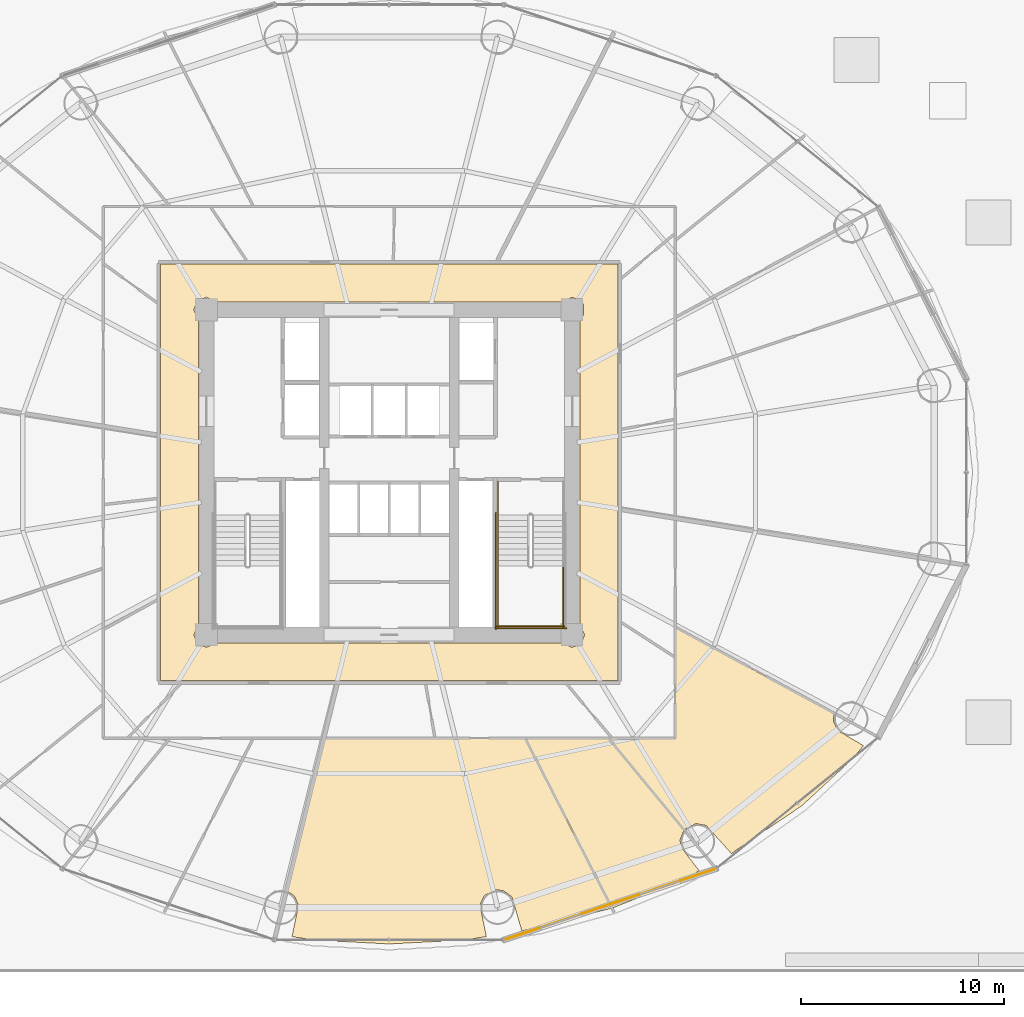
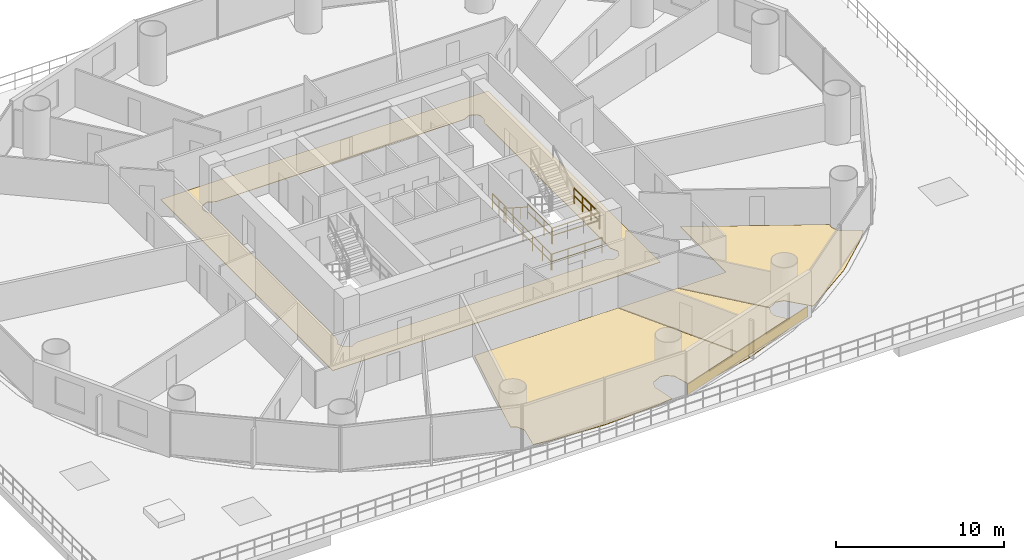
# One storey, part 35 of 37: 7 railings, 5 coverings.
"""IFC4 building model written with IfcOpenShell, lengths in metres."""

from ifc_helpers import new_model, si_unit, direction, frame, origin, origin_2d, place, context, subcontext, project, spatial, polyline, rectangle, outline, extrude, source, transform, mapped, material, layer, layer_set, type_object, element, save


model = new_model("IFC4")

# Units and contexts
model_context = context("Model", 3, precision=1e-05, world=origin(), true_north=direction((-0.2419218956, 0.970295726276)))
body_context = subcontext(model_context, "Body", "Model", "MODEL_VIEW")
ifc_project = project(units=[si_unit("LENGTHUNIT", "METRE"), si_unit("AREAUNIT", "SQUARE_METRE"), si_unit("VOLUMEUNIT", "CUBIC_METRE"), si_unit("PLANEANGLEUNIT", "RADIAN"), si_unit("MASSUNIT", "GRAM", prefix="KILO")], contexts=[model_context])

# Site, building, storey
site_placement = place(None, origin())
site = spatial("IfcSite", under=ifc_project, at=site_placement, CompositionType="ELEMENT")
building_placement = place(site_placement, origin())
building = spatial("IfcBuilding", under=site, at=building_placement, Name="Cobrevalo Terracotta Tower", CompositionType="ELEMENT")
storey_placement = place(building_placement, frame((0.0, 0.0, 24.0)))
storey = spatial("IfcBuildingStorey", under=building, at=storey_placement, Name="L05", CompositionType="ELEMENT", Elevation=24.0)

# Coverings
ifc_material_1 = material(Name="Engineered Brazilian hardwood flooring", Category="wood")
ifc_layer_1 = layer(ifc_material_1, 0.028076171875)
ifc_layer_set_1 = layer_set([ifc_layer_1], Name="Engineered Brazilian hardwood flooring")
covering_type_1 = type_object("IfcCoveringType", Name="Engineered Hardwood Suite Flooring 28", PredefinedType="FLOORING", material=ifc_layer_set_1)
covering_1_placement = place(storey_placement, origin())
element("IfcCovering", 1, at=covering_1_placement, inside=storey, type_object=covering_type_1, Name="Flat L05D Penthouse Living and Dining Room floor finish", PredefinedType="FLOORING", context=body_context, shape_type="SweptSolid", body=[
    extrude(outline(polyline([(44.527587890625, 4.2255859375), (44.04345703125, 5.89306640625), (43.63330078125, 6.197998046875), (43.293701171875, 6.2490234375), (42.6845703125, 5.9619140625), (42.46533203125, 5.500244140625), (42.78369140625, 3.945068359375), (41.749267578125, 3.77880859375), (38.0, 3.580078125), (34.250732421875, 3.77880859375), (33.21630859375, 3.945068359375), (33.53466796875, 5.500244140625), (33.3154296875, 5.9619140625), (32.96240234375, 6.193359375), (34.8037109375, 13.695068359375), (44.67626953125, 13.695068359375), (48.948974609375, 5.336181640625), (44.527587890625, 4.2255859375)])), origin(), (0.0, 0.0, 1.0), 0.030029296875),
])
covering_2_placement = place(storey_placement, origin())
element("IfcCovering", 2, at=covering_2_placement, inside=storey, type_object=covering_type_1, Name="Flat L05D Master Bedroom floor finish", PredefinedType="FLOORING", context=body_context, shape_type="SweptSolid", body=[
    extrude(outline(polyline([(48.9873046875, 5.3486328125), (44.72119140625, 13.695068359375), (48.780029296875, 13.695068359375), (52.5048828125, 9.177490234375), (52.318115234375, 8.71044921875), (52.35498046875, 8.369140625), (53.26318359375, 7.178955078125), (52.361572265625, 6.691650390625), (48.9873046875, 5.3486328125)])), origin(), (0.0, 0.0, 1.0), 0.030029296875),
])
covering_3_placement = place(storey_placement, origin())
element("IfcCovering", 3, at=covering_3_placement, inside=storey, type_object=covering_type_1, Name="Flat L05D Penthouse Family Lounge floor finish", PredefinedType="FLOORING", context=body_context, shape_type="SweptSolid", body=[
    extrude(outline(polyline([(58.3095703125, 10.38232421875), (54.843505859375, 8.03271484375), (53.6025390625, 9.412353515625), (53.100341796875, 9.50732421875), (52.531982421875, 9.20751953125), (48.831787109375, 13.695068359375), (52.10498046875, 13.695068359375), (52.10498046875, 19.14013671875), (59.90234375, 14.91796875), (59.864990234375, 14.573974609375), (60.060791015625, 14.10205078125), (61.34423828125, 13.341064453125), (60.786376953125, 12.666259765625), (58.3095703125, 10.38232421875)])), origin(), (0.0, 0.0, 1.0), 0.030029296875),
])
ifc_material_2 = material(Name="Honed terracotta and granite tile", Category="masonry")
ifc_layer_2 = layer(ifc_material_2, 0.034912109375)
ifc_layer_set_2 = layer_set([ifc_layer_2], Name="Honed terracotta and granite tile")
covering_type_2 = type_object("IfcCoveringType", Name="Honed Terracotta & Granite Interior Flooring 35", PredefinedType="FLOORING", material=ifc_layer_set_2)
covering_4_placement = place(storey_placement, origin())
element("IfcCovering", 4, at=covering_4_placement, inside=storey, type_object=covering_type_2, Name="L05 Residential Floor Corridor floor finish", PredefinedType="FLOORING", context=body_context, shape_type="SweptSolid", body=[
    extrude(outline(polyline([(49.2548828125, 37.054931640625), (49.2548828125, 16.544921875), (26.7451171875, 16.544921875), (26.7451171875, 37.054931640625), (49.2548828125, 37.054931640625)]), holes=[polyline([(47.39501953125, 34.33203125), (47.5732421875, 34.5625), (47.5732421875, 35.037353515625), (47.438720703125, 35.23876953125), (47.0, 35.42041015625), (46.5322265625, 35.195068359375), (29.4677734375, 35.195068359375), (29.0, 35.42041015625), (28.561279296875, 35.23876953125), (28.379638671875, 34.800048828125), (28.60498046875, 34.33203125), (28.60498046875, 19.267822265625), (28.379638671875, 18.800048828125), (28.561279296875, 18.361328125), (29.0, 18.1796875), (29.4677734375, 18.405029296875), (46.5322265625, 18.405029296875), (47.0, 18.1796875), (47.438720703125, 18.361328125), (47.620361328125, 18.800048828125), (47.39501953125, 19.267822265625), (47.39501953125, 34.33203125)])]), origin(), (0.0, 0.0, 1.0), 0.030029296875),
])

# Railings
ifc_material_3 = material(Name="Brushed stainless steel", Category="steel")
railing_type_1 = type_object("IfcRailingType", Name="Stainless Steel Stair Handrail 900", PredefinedType="HANDRAIL", material=ifc_material_3)
railing_1_placement = place(storey_placement, frame((43.35498046875, 24.699951171875, 0.179931640625)))
element("IfcRailing", 5, at=railing_1_placement, inside=storey, type_object=railing_type_1, Name="L05 ST-2 stair handrail 1", PredefinedType="HANDRAIL", context=body_context, shape_type="SweptSolid", body=[
    extrude(rectangle(XDim=0.048095703125, YDim=0.048095703125, at=origin_2d()), frame((0.0, 0.0, 0.8759765625), z_axis=(0.0, -0.841162588446, 0.540782303519), x_axis=(1.0, 0.0, 0.0)), (0.0, 0.0, 1.0), 2.995849609375),
    extrude(rectangle(XDim=0.0419921875, YDim=0.0419921875, at=origin_2d()), origin(), (0.0, 0.0, 1.0), 0.851806640625),
    extrude(rectangle(XDim=0.0419921875, YDim=0.0419921875, at=origin_2d()), frame((0.0, -0.840087890625, 0.5400390625)), (0.0, 0.0, 1.0), 0.851806640625),
    extrude(rectangle(XDim=0.0419921875, YDim=0.0419921875, at=origin_2d()), frame((0.0, -1.679931640625, 1.080078125)), (0.0, 0.0, 1.0), 0.851806640625),
    extrude(rectangle(XDim=0.0419921875, YDim=0.0419921875, at=origin_2d()), frame((0.0, -2.52001953125, 1.6201171875)), (0.0, 0.0, 1.0), 0.851806640625),
])
ifc_material_4 = material(Name="Painted galvanized steel", Category="steel")
railing_type_2 = type_object("IfcRailingType", Name="Stair Well Guard Balustrade 1150", PredefinedType="GUARDRAIL", material=ifc_material_4)
for number, where, name in (
    (6, (43.35498046875, 22.179931640625, 1.800048828125), "L05 ST-2 stair guard 3"),
    (7, (46.574951171875, 22.179931640625, 1.800048828125), "L05 ST-2 stair guard 4"),
):
    element("IfcRailing", number, at=place(storey_placement, frame(where)), inside=storey, type_object=railing_type_2, Name=name, PredefinedType="GUARDRAIL", context=body_context, shape_type="SweptSolid", body=[
        extrude(rectangle(XDim=0.048095703125, YDim=0.048095703125, at=origin_2d()), frame((0.0, 0.0, 1.1259765625), z_axis=(0.0, -1.0, 0.0), x_axis=(1.0, 0.0, 0.0)), (0.0, 0.0, 1.0), 3.0048828125),
        extrude(rectangle(XDim=0.048095703125, YDim=0.048095703125, at=origin_2d()), frame((0.0, 0.0, 0.574951171875), z_axis=(0.0, -1.0, 0.0), x_axis=(1.0, 0.0, 0.0)), (0.0, 0.0, 1.0), 3.0048828125),
        extrude(rectangle(XDim=0.0419921875, YDim=0.0419921875, at=origin_2d()), origin(), (0.0, 0.0, 1.0), 1.101806640625),
        extrude(rectangle(XDim=0.0419921875, YDim=0.0419921875, at=origin_2d()), frame((0.0, -1.001708984375, 0.0)), (0.0, 0.0, 1.0), 1.101806640625),
        extrude(rectangle(XDim=0.0419921875, YDim=0.0419921875, at=origin_2d()), frame((0.0, -2.003173828125, 0.0)), (0.0, 0.0, 1.0), 1.101806640625),
        extrude(rectangle(XDim=0.0419921875, YDim=0.0419921875, at=origin_2d()), frame((0.0, -3.0048828125, 0.0)), (0.0, 0.0, 1.0), 1.101806640625),
    ])
railing_2_placement = place(storey_placement, frame((43.304931640625, 19.22509765625, 1.800048828125)))
element("IfcRailing", 8, at=railing_2_placement, inside=storey, type_object=railing_type_2, Name="L05 ST-2 stair guard 5", PredefinedType="GUARDRAIL", context=body_context, shape_type="SweptSolid", body=[
    extrude(rectangle(XDim=0.048095703125, YDim=0.048095703125, at=origin_2d()), frame((0.0, 0.0, 1.1259765625), z_axis=(1.0, 0.0, 0.0), x_axis=(0.0, 1.0, 0.0)), (0.0, 0.0, 1.0), 3.320068359375),
    extrude(rectangle(XDim=0.048095703125, YDim=0.048095703125, at=origin_2d()), frame((0.0, 0.0, 0.574951171875), z_axis=(1.0, 0.0, 0.0), x_axis=(0.0, 1.0, 0.0)), (0.0, 0.0, 1.0), 3.320068359375),
    extrude(rectangle(XDim=0.0419921875, YDim=0.0419921875, at=origin_2d()), origin(), (0.0, 0.0, 1.0), 1.101806640625),
    extrude(rectangle(XDim=0.0419921875, YDim=0.0419921875, at=origin_2d()), frame((1.106689453125, 0.0, 0.0)), (0.0, 0.0, 1.0), 1.101806640625),
    extrude(rectangle(XDim=0.0419921875, YDim=0.0419921875, at=origin_2d()), frame((2.21337890625, 0.0, 0.0)), (0.0, 0.0, 1.0), 1.101806640625),
    extrude(rectangle(XDim=0.0419921875, YDim=0.0419921875, at=origin_2d()), frame((3.320068359375, 0.0, 0.0)), (0.0, 0.0, 1.0), 1.101806640625),
])
railing_3_placement = place(storey_placement, frame((43.35498046875, 26.35009765625, 0.0)))
element("IfcRailing", 9, at=railing_3_placement, inside=storey, type_object=railing_type_2, Name="L05 ST-2 stair guard 8", PredefinedType="GUARDRAIL", context=body_context, shape_type="SweptSolid", body=[
    extrude(rectangle(XDim=0.048095703125, YDim=0.048095703125, at=origin_2d()), frame((0.0, 0.0, 1.1259765625), z_axis=(0.0, -1.0, 0.0), x_axis=(1.0, 0.0, 0.0)), (0.0, 0.0, 1.0), 1.650146484375),
    extrude(rectangle(XDim=0.048095703125, YDim=0.048095703125, at=origin_2d()), frame((0.0, 0.0, 0.574951171875), z_axis=(0.0, -1.0, 0.0), x_axis=(1.0, 0.0, 0.0)), (0.0, 0.0, 1.0), 1.650146484375),
    extrude(rectangle(XDim=0.0419921875, YDim=0.0419921875, at=origin_2d()), origin(), (0.0, 0.0, 1.0), 1.101806640625),
    extrude(rectangle(XDim=0.0419921875, YDim=0.0419921875, at=origin_2d()), frame((0.0, -0.8251953125, 0.0)), (0.0, 0.0, 1.0), 1.101806640625),
    extrude(rectangle(XDim=0.0419921875, YDim=0.0419921875, at=origin_2d()), frame((0.0, -1.650146484375, 0.0)), (0.0, 0.0, 1.0), 1.101806640625),
])
railing_4_placement = place(storey_placement, frame((43.2548828125, 24.800048828125, 0.0)))
element("IfcRailing", 10, at=railing_4_placement, inside=storey, type_object=railing_type_2, Name="L05 ST-2 stair guard 10", PredefinedType="GUARDRAIL", context=body_context, shape_type="SweptSolid", body=[
    extrude(rectangle(XDim=0.048095703125, YDim=0.048095703125, at=origin_2d()), frame((0.0, 0.0, 1.1259765625), z_axis=(0.0, -1.0, 0.0), x_axis=(1.0, 0.0, 0.0)), (0.0, 0.0, 1.0), 5.72509765625),
    extrude(rectangle(XDim=0.048095703125, YDim=0.048095703125, at=origin_2d()), frame((0.0, 0.0, 0.574951171875), z_axis=(0.0, -1.0, 0.0), x_axis=(1.0, 0.0, 0.0)), (0.0, 0.0, 1.0), 5.72509765625),
    extrude(rectangle(XDim=0.0419921875, YDim=0.0419921875, at=origin_2d()), origin(), (0.0, 0.0, 1.0), 1.101806640625),
    extrude(rectangle(XDim=0.0419921875, YDim=0.0419921875, at=origin_2d()), frame((0.0, -1.14501953125, 0.0)), (0.0, 0.0, 1.0), 1.101806640625),
    extrude(rectangle(XDim=0.0419921875, YDim=0.0419921875, at=origin_2d()), frame((0.0, -2.2900390625, 0.0)), (0.0, 0.0, 1.0), 1.101806640625),
    extrude(rectangle(XDim=0.0419921875, YDim=0.0419921875, at=origin_2d()), frame((0.0, -3.43505859375, 0.0)), (0.0, 0.0, 1.0), 1.101806640625),
    extrude(rectangle(XDim=0.0419921875, YDim=0.0419921875, at=origin_2d()), frame((0.0, -4.580078125, 0.0)), (0.0, 0.0, 1.0), 1.101806640625),
    extrude(rectangle(XDim=0.0419921875, YDim=0.0419921875, at=origin_2d()), frame((0.0, -5.72509765625, 0.0)), (0.0, 0.0, 1.0), 1.101806640625),
])
railing_5_placement = place(storey_placement, frame((43.205078125, 19.125, 0.0)))
element("IfcRailing", 11, at=railing_5_placement, inside=storey, type_object=railing_type_2, Name="L05 ST-2 stair guard 12", PredefinedType="GUARDRAIL", context=body_context, shape_type="SweptSolid", body=[
    extrude(rectangle(XDim=0.048095703125, YDim=0.048095703125, at=origin_2d()), frame((0.0, 0.0, 1.1259765625), z_axis=(1.0, 0.0, 0.0), x_axis=(0.0, 1.0, 0.0)), (0.0, 0.0, 1.0), 3.52001953125),
    extrude(rectangle(XDim=0.048095703125, YDim=0.048095703125, at=origin_2d()), frame((0.0, 0.0, 0.574951171875), z_axis=(1.0, 0.0, 0.0), x_axis=(0.0, 1.0, 0.0)), (0.0, 0.0, 1.0), 3.52001953125),
    extrude(rectangle(XDim=0.0419921875, YDim=0.0419921875, at=origin_2d()), origin(), (0.0, 0.0, 1.0), 1.101806640625),
    extrude(rectangle(XDim=0.0419921875, YDim=0.0419921875, at=origin_2d()), frame((1.17333984375, 0.0, 0.0)), (0.0, 0.0, 1.0), 1.101806640625),
    extrude(rectangle(XDim=0.0419921875, YDim=0.0419921875, at=origin_2d()), frame((2.3466796875, 0.0, 0.0)), (0.0, 0.0, 1.0), 1.101806640625),
    extrude(rectangle(XDim=0.0419921875, YDim=0.0419921875, at=origin_2d()), frame((3.52001953125, 0.0, 0.0)), (0.0, 0.0, 1.0), 1.101806640625),
])

# Covering
ifc_material_5 = material(Name="Glazed terracotta facade cladding tile", Category="masonry")
ifc_layer_3 = layer(ifc_material_5, 0.044921875)
ifc_layer_set_3 = layer_set([ifc_layer_3], Name="Glazed terracotta facade cladding tile")
covering_type_3 = type_object("IfcCoveringType", Name="Architectural terracotta rainscreen spandrel cladding 45 mm", PredefinedType="CLADDING", material=ifc_layer_set_3)
shared_shape = source(origin(), body_context, "Body", "SweptSolid", [
    extrude(rectangle(XDim=10.8154296875, YDim=0.044921875, at=origin_2d()), origin(), (0.0, 0.0, 1.0), 0.760009765625),
])
covering_5_placement = place(storey_placement, frame((48.873291015625, 5.533203125, 0.0400390625), z_axis=(0.0, 0.0, 1.0), x_axis=(0.948044172593, 0.318138722592, 0.0)))
element("IfcCovering", 12, at=covering_5_placement, inside=storey, type_object=covering_type_3, Name="L05 terracotta spandrel cladding S13", PredefinedType="CLADDING", context=body_context, shape_type="MappedRepresentation", body=[
    mapped(shared_shape, transform((0.0, 0.0, 0.0), scale=1.0)),
])

save(model, "model.ifc")
